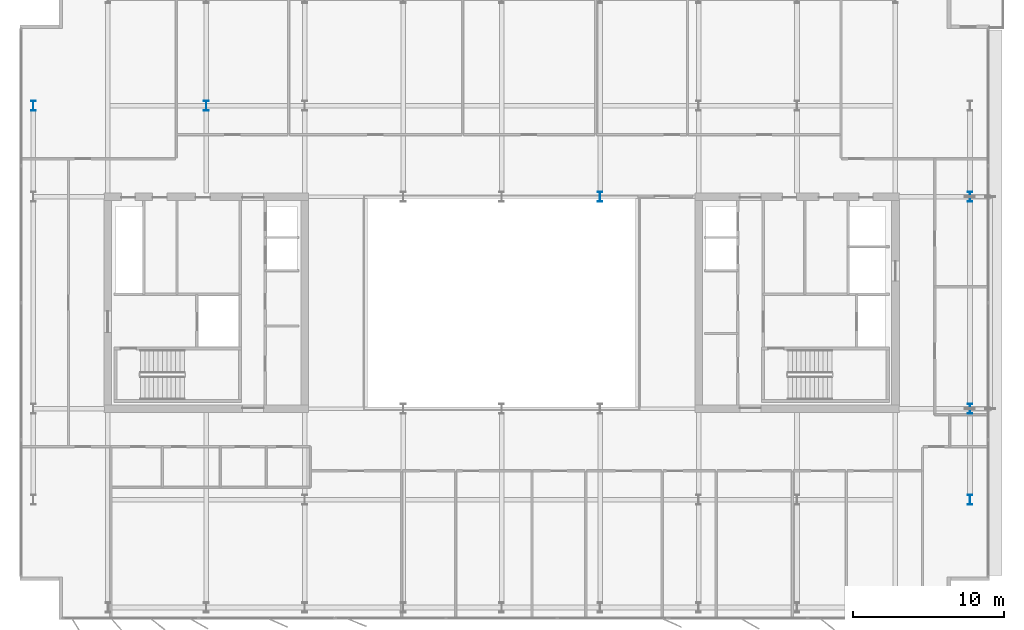
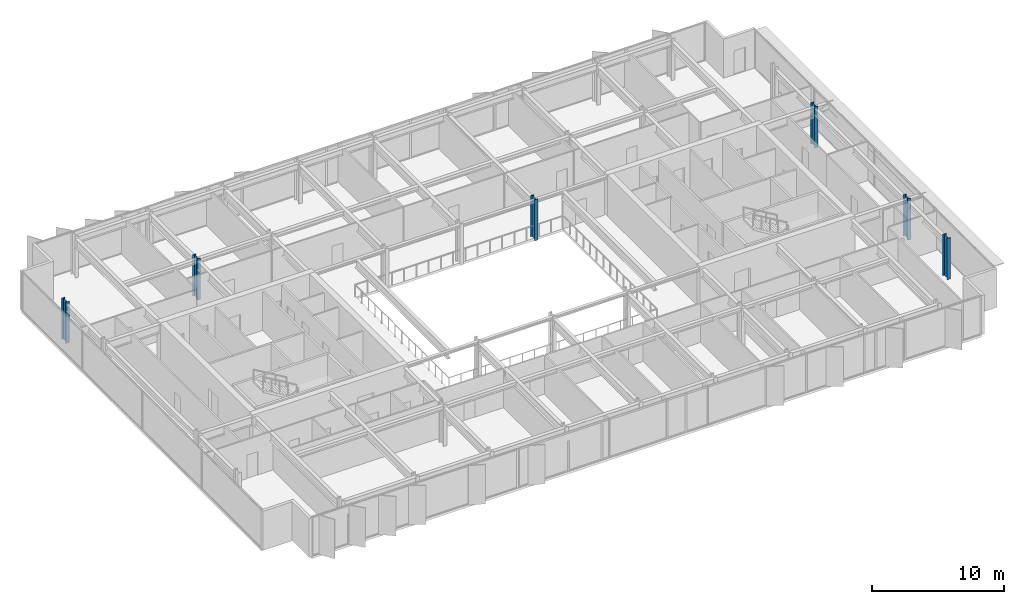
# One storey, part 2 of 19: 6 columns.
"""IFC4 building model written with IfcOpenShell, lengths in metres."""

from ifc_helpers import new_model, si_unit, direction, frame, origin, origin_2d, place, context, subcontext, project, spatial, i_section, extrude, material, material_profile, profile_set, type_object, element, save


model = new_model("IFC4")

# Units and contexts
model_context = context("Model", 3, precision=1e-05, world=origin(), true_north=direction((0.0, 1.0)))
body_context = subcontext(model_context, "Body", "Model", "MODEL_VIEW")
ifc_project = project(units=[si_unit("LENGTHUNIT", "METRE"), si_unit("AREAUNIT", "SQUARE_METRE"), si_unit("VOLUMEUNIT", "CUBIC_METRE"), si_unit("PLANEANGLEUNIT", "RADIAN"), si_unit("MASSUNIT", "GRAM", prefix="KILO")], contexts=[model_context])

# Site, building, storey
site_placement = place(None, origin())
site = spatial("IfcSite", under=ifc_project, at=site_placement, CompositionType="ELEMENT")
building_placement = place(site_placement, origin())
building = spatial("IfcBuilding", under=site, at=building_placement, Name="Putna Gate Headquarters", CompositionType="ELEMENT")
storey_placement = place(building_placement, frame((0.0, 0.0, 267.0)))
storey = spatial("IfcBuildingStorey", under=building, at=storey_placement, Name="L67", CompositionType="ELEMENT", Elevation=267.0)

# Columns
ifc_material = material(Name="Steel S460M", Category="steel")
ifc_material_profile_1 = material_profile(ifc_material, i_section(OverallWidth=0.304931640625, OverallDepth=0.66796875, WebThickness=0.02099609375, FlangeThickness=0.0400390625, at=origin_2d()), Name="Steel S460M")
ifc_profile_set_1 = profile_set([ifc_material_profile_1], Name="Steel S460M")
column_type_1 = type_object("IfcColumnType", Name="COL-STL-HEM650-EXT", PredefinedType="COLUMN", material=ifc_profile_set_1)
for number, where, z_axis, x_axis, name in (
    (1, (69.919921875, 13.0, 0.0), (0.0, 0.0, 1.0), (1.0, 0.0, 0.0), "L67 Column CP-E13"),
    (2, (69.919921875, 19.0, 0.0), (0.0, 0.0, 1.0), (1.0, 0.0, 0.0), "L67 Column CP-E19"),
    (3, (69.919921875, 33.0, 0.0), (0.0, 0.0, 1.0), (1.0, 0.0, 0.0), "L67 Column CP-E33"),
    (4, (8.080078125, 39.0, 0.0), (0.0, 0.0, 1.0), (1.0, 0.0, 0.0), "L67 Column CP-W39"),
):
    element("IfcColumn", number, at=place(storey_placement, frame(where, z_axis=z_axis, x_axis=x_axis)), inside=storey, type_object=column_type_1, Name=name, PredefinedType="COLUMN", context=body_context, shape_type="SweptSolid", body=[
        extrude(i_section(OverallWidth=0.304931640625, OverallDepth=0.66796875, WebThickness=0.02099609375, FlangeThickness=0.0400390625, at=origin_2d()), origin(), (0.0, 0.0, 1.0), 3.800048828125),
    ])
ifc_material_profile_2 = material_profile(ifc_material, i_section(OverallWidth=0.304931640625, OverallDepth=0.66796875, WebThickness=0.02099609375, FlangeThickness=0.0400390625, at=origin_2d()), Name="Steel S460M")
ifc_profile_set_2 = profile_set([ifc_material_profile_2], Name="Steel S460M")
column_type_2 = type_object("IfcColumnType", Name="COL-STL-HEM650-INT", PredefinedType="COLUMN", material=ifc_profile_set_2)
for number, where, z_axis, x_axis, name in (
    (5, (19.5, 39.0, 0.0), (0.0, 0.0, 1.0), (1.0, 0.0, 0.0), "L67 Column CSI-WN"),
    (6, (45.5, 33.0, 0.0), (0.0, 0.0, 1.0), (1.0, 0.0, 0.0), "L67 Column CAI-N45"),
):
    element("IfcColumn", number, at=place(storey_placement, frame(where, z_axis=z_axis, x_axis=x_axis)), inside=storey, type_object=column_type_2, Name=name, PredefinedType="COLUMN", context=body_context, shape_type="SweptSolid", body=[
        extrude(i_section(OverallWidth=0.304931640625, OverallDepth=0.66796875, WebThickness=0.02099609375, FlangeThickness=0.0400390625, at=origin_2d()), origin(), (0.0, 0.0, 1.0), 3.800048828125),
    ])

save(model, "model.ifc")
